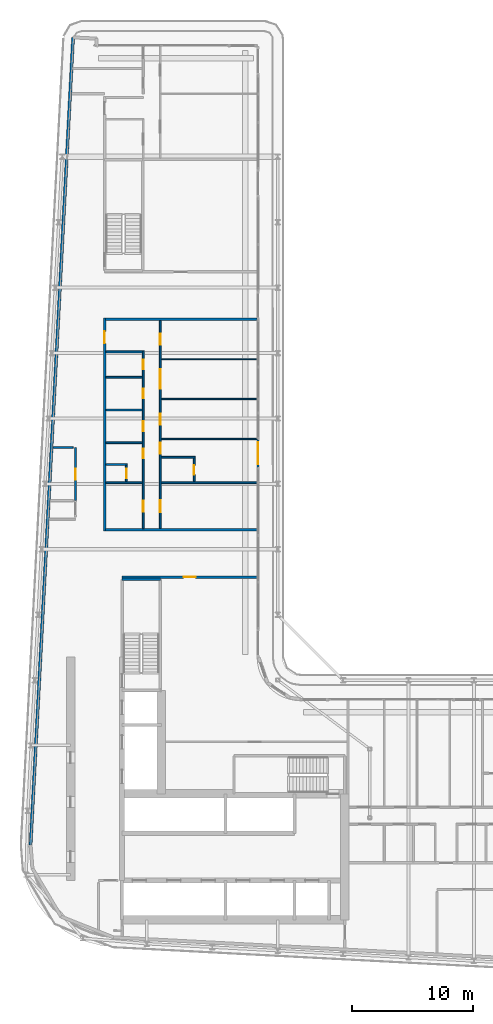
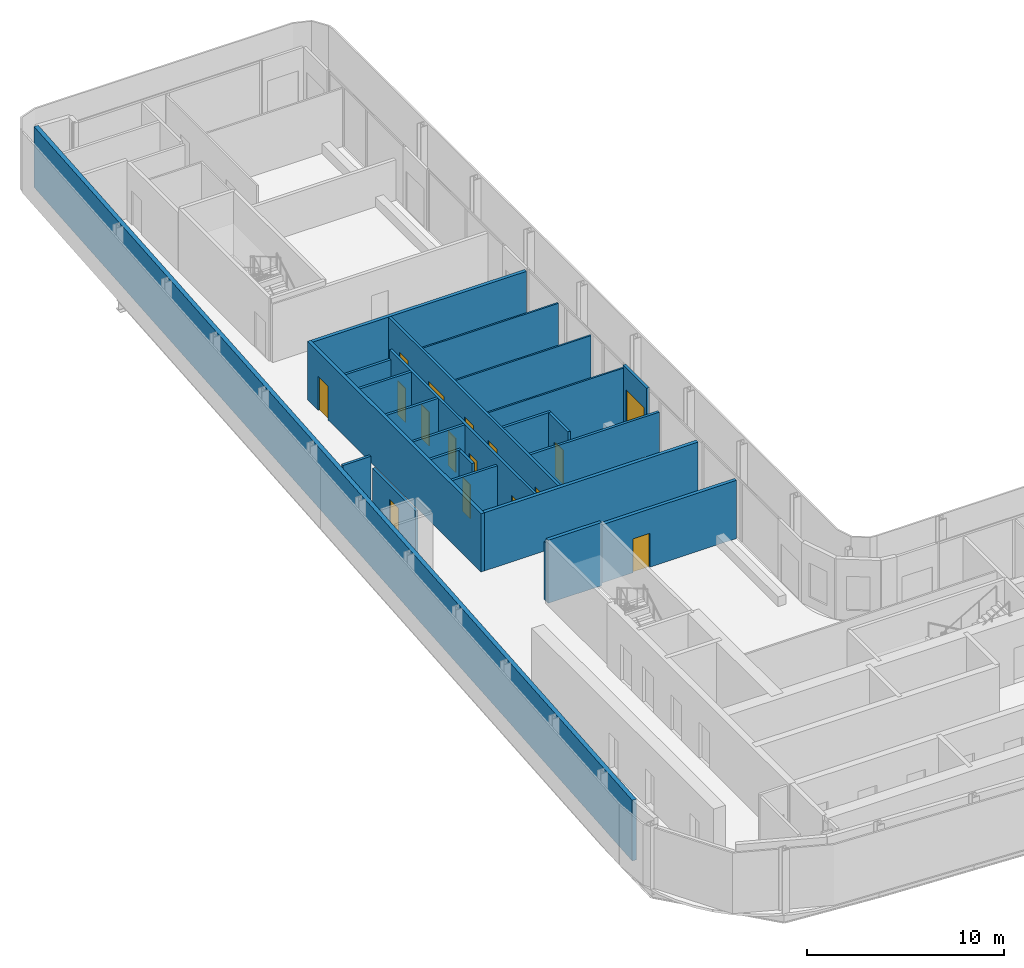
# One storey, part 14 of 23: 24 walls, 16 doors, 16 openings.
"""IFC4 building model written with IfcOpenShell, lengths in metres."""

from ifc_helpers import new_model, si_unit, direction, frame, frame_2d, origin, place, context, subcontext, project, spatial, rectangle, extrude, source, transform, mapped, material, layer, layer_set, type_object, element, fill, save


model = new_model("IFC4")

# Units and contexts
model_context = context("Model", 3, precision=1e-05, world=origin(), true_north=direction((0.0, 1.0)))
body_context = subcontext(model_context, "Body", "Model", "MODEL_VIEW")
ifc_project = project(units=[si_unit("LENGTHUNIT", "METRE"), si_unit("AREAUNIT", "SQUARE_METRE"), si_unit("VOLUMEUNIT", "CUBIC_METRE"), si_unit("PLANEANGLEUNIT", "RADIAN"), si_unit("MASSUNIT", "GRAM", prefix="KILO")], contexts=[model_context])

# Site, building, storey
site_placement = place(None, origin())
site = spatial("IfcSite", under=ifc_project, at=site_placement, CompositionType="ELEMENT")
building_placement = place(site_placement, origin())
building = spatial("IfcBuilding", under=site, at=building_placement, Name="Kheshtan School and Residences Tower", CompositionType="ELEMENT")
storey_placement = place(building_placement, frame((0.0, 0.0, 239.60009765625)))
storey = spatial("IfcBuildingStorey", under=building, at=storey_placement, Name="L56", CompositionType="ELEMENT", Elevation=239.60009765625)

# Wall, opening, door
ifc_material_1 = material(Name="Gypsum board on steel studs with fire boards", Category="steel")
ifc_layer_1 = layer(ifc_material_1, 0.199951171875)
ifc_layer_set_1 = layer_set([ifc_layer_1], Name="Corridor wall 200")
wall_type_1 = type_object("IfcWallType", Name="Corridor wall 200", PredefinedType="PARTITIONING", material=ifc_layer_set_1)
wall_1_placement = place(storey_placement, frame((33.300048828125, 57.89990234375, 0.0), z_axis=(0.0, 0.0, 1.0), x_axis=(0.0, 1.0, 0.0)))
wall_1 = element("IfcWall", 1, at=wall_1_placement, inside=storey, type_object=wall_type_1, Name="Partition L56-003", PredefinedType="PARTITIONING", context=body_context, shape_type="SweptSolid", body=[
    extrude(rectangle(XDim=17.60009765625, YDim=0.199951171875, at=frame_2d((8.800048828125, 0.0))), origin(), (0.0, 0.0, 1.0), 3.599853515625),
])
opening_1_placement = place(wall_1_placement, frame((15.5, 0.0, 0.0)))
opening_1 = element("IfcOpeningElement", 2, at=opening_1_placement, cuts=wall_1, Name="Opening D56-032", PredefinedType="OPENING", context=body_context, shape_type="SweptSolid", body=[
    extrude(rectangle(XDim=1.0, YDim=2.10009765625, at=frame_2d((0.5, 1.050048828125))), frame((0.0, 0.10986328125, 0.0), z_axis=(0.0, -1.0, 0.0), x_axis=(1.0, 0.0, 0.0)), (0.0, 0.0, 1.0), 0.219970703125),
])
ifc_material_2 = material(Name="Steel-framed fire-resisting door leaf", Category="steel")
door_type_1 = type_object("IfcDoorType", Name="Fire door FD30S 1000 x 2100", OperationType="SINGLE_SWING_LEFT", PredefinedType="DOOR", material=ifc_material_2)
shared_shape_1 = source(origin(), body_context, "Body", "SweptSolid", [
    extrude(rectangle(XDim=1.0, YDim=2.10009765625, at=frame_2d((0.5, 1.050048828125))), frame((0.0, 0.02490234375, 0.0), z_axis=(0.0, -1.0, 0.0), x_axis=(1.0, 0.0, 0.0)), (0.0, 0.0, 1.0), 0.050048828125),
])
door_1_placement = place(opening_1_placement, origin())
door_1 = element("IfcDoor", 3, at=door_1_placement, inside=storey, type_object=door_type_1, Name="Door D56-032", OperationType="SINGLE_SWING_RIGHT", OverallHeight=2.10009765625, OverallWidth=1.0, PredefinedType="DOOR", context=body_context, shape_type="MappedRepresentation", body=[
    mapped(shared_shape_1, transform((0.0, 0.0, 0.0), x_axis=(1.0, 0.0, 0.0), y_axis=(0.0, 1.0, 0.0), z_axis=(0.0, 0.0, 1.0), scale=1.0)),
])
fill(opening_1, door_1)

# Walls
for number, where, z_axis, x_axis, name in (
    (4, (33.39990234375, 58.0, 0.0), (0.0, 0.0, 1.0), (1.0, 0.0, 0.0), "Partition L56-006"),
    (5, (33.39990234375, 75.39990234375, 0.0), (0.0, 0.0, 1.0), (1.0, 0.0, 0.0), "Partition L56-013"),
):
    element("IfcWall", number, at=place(storey_placement, frame(where, z_axis=z_axis, x_axis=x_axis)), inside=storey, type_object=wall_type_1, Name=name, PredefinedType="PARTITIONING", context=body_context, shape_type="SweptSolid", body=[
        extrude(rectangle(XDim=12.5, YDim=0.199951171875, at=frame_2d((6.25, 0.0))), origin(), (0.0, 0.0, 1.0), 3.599853515625),
    ])

# Wall, opening, door
wall_2_placement = place(storey_placement, frame((34.75, 54.10009765625, 0.0), z_axis=(0.0, 0.0, 1.0), x_axis=(1.0, 0.0, 0.0)))
wall_2 = element("IfcWall", 6, at=wall_2_placement, inside=storey, type_object=wall_type_1, Name="Partition L56-018", PredefinedType="PARTITIONING", context=body_context, shape_type="SweptSolid", body=[
    extrude(rectangle(XDim=11.14990234375, YDim=0.199951171875, at=frame_2d((5.574951171875, 0.0))), origin(), (0.0, 0.0, 1.0), 3.599853515625),
])
opening_2_placement = place(wall_2_placement, frame((5.074951171875, 0.0, 0.0)))
opening_2 = element("IfcOpeningElement", 7, at=opening_2_placement, cuts=wall_2, Name="Opening D56-048", PredefinedType="OPENING", context=body_context, shape_type="SweptSolid", body=[
    extrude(rectangle(XDim=1.0, YDim=2.10009765625, at=frame_2d((0.5, 1.050048828125))), frame((0.0, 0.10986328125, 0.0), z_axis=(0.0, -1.0, 0.0), x_axis=(1.0, 0.0, 0.0)), (0.0, 0.0, 1.0), 0.219970703125),
])
door_type_2 = type_object("IfcDoorType", Name="Fire door FD60 1000 x 2100", OperationType="SINGLE_SWING_LEFT", PredefinedType="DOOR", material=ifc_material_2)
shared_shape_2 = source(origin(), body_context, "Body", "SweptSolid", [
    extrude(rectangle(XDim=1.0, YDim=2.10009765625, at=frame_2d((0.5, 1.050048828125))), frame((0.0, 0.02490234375, 0.0), z_axis=(0.0, -1.0, 0.0), x_axis=(1.0, 0.0, 0.0)), (0.0, 0.0, 1.0), 0.050048828125),
])
door_2_placement = place(opening_2_placement, origin())
door_2 = element("IfcDoor", 8, at=door_2_placement, inside=storey, type_object=door_type_2, Name="Door D56-048", OperationType="SINGLE_SWING_RIGHT", OverallHeight=2.10009765625, OverallWidth=1.0, PredefinedType="DOOR", context=body_context, shape_type="MappedRepresentation", body=[
    mapped(shared_shape_2, transform((0.0, 0.0, 0.0), x_axis=(1.0, 0.0, 0.0), y_axis=(0.0, 1.0, 0.0), z_axis=(0.0, 0.0, 1.0), scale=1.0)),
])
fill(opening_2, door_2)

# Wall
ifc_material_3 = material(Name="Concrete C40/50 with ceramic cladding and mineral wool insulation", Category="concrete")
ifc_layer_2 = layer(ifc_material_3, 0.25)
ifc_layer_set_2 = layer_set([ifc_layer_2], Name="External wall 250 ceramic clad")
wall_type_2 = type_object("IfcWallType", Name="External wall 250 ceramic clad", PredefinedType="SOLIDWALL", material=ifc_layer_set_2)
wall_3_placement = place(storey_placement, frame((27.195068359375, 31.968994140625, 0.0), z_axis=(0.0, 0.0, 1.0), x_axis=(0.052554995867, 0.998618031286, 0.0)))
element("IfcWall", 9, at=wall_3_placement, inside=storey, type_object=wall_type_2, Name="External wall L56 4", PredefinedType="SOLIDWALL", context=body_context, shape_type="SweptSolid", body=[
    extrude(rectangle(XDim=66.787353515625, YDim=0.25, at=frame_2d((33.3935546875, 0.0))), origin(), (0.0, 0.0, 1.0), 3.75),
])

# Wall, opening, door
ifc_material_4 = material(Name="Aluminium frame wall with insulated infill", Category="aluminium")
ifc_layer_3 = layer(ifc_material_4, 0.14990234375)
ifc_layer_set_3 = layer_set([ifc_layer_3], Name="Glazing frame wall 150")
wall_type_3 = type_object("IfcWallType", Name="Glazing frame wall 150", PredefinedType="SOLIDWALL", material=ifc_layer_set_3)
wall_4_placement = place(storey_placement, frame((45.97509765625, 65.51806640625, 0.0), z_axis=(0.0, 0.0, 1.0), x_axis=(0.0, -1.0, 0.0)))
wall_4 = element("IfcWall", 10, at=wall_4_placement, inside=storey, type_object=wall_type_3, Name="Balcony door wall L56 8.4", PredefinedType="SOLIDWALL", context=body_context, shape_type="SweptSolid", body=[
    extrude(rectangle(XDim=2.400146484375, YDim=0.14990234375, at=frame_2d((1.2001953125, 0.0))), origin(), (0.0, 0.0, 1.0), 3.75),
])
opening_3_placement = place(wall_4_placement, frame((0.300048828125, 0.0, 0.0)))
opening_3 = element("IfcOpeningElement", 11, at=opening_3_placement, cuts=wall_4, Name="Opening BD", PredefinedType="OPENING", context=body_context, shape_type="SweptSolid", body=[
    extrude(rectangle(XDim=1.800048828125, YDim=2.39990234375, at=frame_2d((0.89990234375, 1.199951171875))), frame((0.0, 0.0849609375, 0.0), z_axis=(0.0, -1.0, 0.0), x_axis=(1.0, 0.0, 0.0)), (0.0, 0.0, 1.0), 0.169921875),
])
ifc_material_5 = material(Name="Clear low-e glass in thermally broken aluminium frame", Category="aluminium")
door_type_3 = type_object("IfcDoorType", Name="Balcony sliding door", OperationType="SLIDING_TO_LEFT", PredefinedType="DOOR", material=ifc_material_5)
shared_shape_3 = source(origin(), body_context, "Body", "SweptSolid", [
    extrude(rectangle(XDim=1.800048828125, YDim=2.39990234375, at=frame_2d((0.89990234375, 1.199951171875))), frame((0.0, 0.02490234375, 0.0), z_axis=(0.0, -1.0, 0.0), x_axis=(1.0, 0.0, 0.0)), (0.0, 0.0, 1.0), 0.050048828125),
])
door_3_placement = place(opening_3_placement, origin())
door_3 = element("IfcDoor", 12, at=door_3_placement, inside=storey, type_object=door_type_3, Name="Balcony door L56 8.4", OperationType="SLIDING_TO_LEFT", OverallHeight=2.39990234375, OverallWidth=1.800048828125, PredefinedType="DOOR", context=body_context, shape_type="MappedRepresentation", body=[
    mapped(shared_shape_3, transform((0.0, 0.0, 0.0), x_axis=(1.0, 0.0, 0.0), y_axis=(0.0, 1.0, 0.0), z_axis=(0.0, 0.0, 1.0), scale=1.0)),
])
fill(opening_3, door_3)

# Walls
ifc_material_6 = material(Name="Gypsum board on steel studs", Category="steel")
ifc_layer_4 = layer(ifc_material_6, 0.10009765625)
ifc_layer_set_4 = layer_set([ifc_layer_4], Name="Gypsum partition 100")
wall_type_4 = type_object("IfcWallType", Name="Gypsum partition 100", PredefinedType="PARTITIONING", material=ifc_layer_set_4)
for number, where, z_axis, x_axis, name in (
    (13, (37.97509765625, 65.5, 0.0), (0.0, 0.0, 1.0), (1.0, 0.0, 0.0), "Partition L56-029"),
    (14, (37.97509765625, 68.800048828125, 0.0), (0.0, 0.0, 1.0), (1.0, 0.0, 0.0), "Partition L56-030"),
    (15, (37.97509765625, 72.10009765625, 0.0), (0.0, 0.0, 1.0), (1.0, 0.0, 0.0), "Partition L56-031"),
):
    element("IfcWall", number, at=place(storey_placement, frame(where, z_axis=z_axis, x_axis=x_axis)), inside=storey, type_object=wall_type_4, Name=name, PredefinedType="PARTITIONING", context=body_context, shape_type="SweptSolid", body=[
        extrude(rectangle(XDim=7.9248046875, YDim=0.10009765625, at=frame_2d((3.96240234375, 0.0))), origin(), (0.0, 0.0, 1.0), 3.599853515625),
    ])

# Wall, opening, door
ifc_material_7 = material(Name="Fire-board shaft wall system")
ifc_layer_5 = layer(ifc_material_7, 0.14990234375)
ifc_layer_set_5 = layer_set([ifc_layer_5], Name="Service room wall 150")
wall_type_5 = type_object("IfcWallType", Name="Service room wall 150", PredefinedType="PARTITIONING", material=ifc_layer_set_5)
wall_5_placement = place(storey_placement, frame((30.89990234375, 60.4140625, 0.0), z_axis=(0.0, 0.0, 1.0), x_axis=(0.0, 1.0, 0.0)))
wall_5 = element("IfcWall", 16, at=wall_5_placement, inside=storey, type_object=wall_type_5, Name="Service room wall", PredefinedType="PARTITIONING", context=body_context, shape_type="SweptSolid", body=[
    extrude(rectangle(XDim=4.385986328125, YDim=0.14990234375, at=frame_2d((2.19287109375, 0.0))), origin(), (0.0, 0.0, 1.0), 3.072021484375),
])
opening_4_placement = place(wall_5_placement, frame((1.742919921875, 0.0, 0.0)))
opening_4 = element("IfcOpeningElement", 17, at=opening_4_placement, cuts=wall_5, Name="Opening SR90", PredefinedType="OPENING", context=body_context, shape_type="SweptSolid", body=[
    extrude(rectangle(XDim=0.89990234375, YDim=2.199951171875, at=frame_2d((0.449951171875, 1.10009765625))), frame((0.0, 0.0849609375, 0.0), z_axis=(0.0, -1.0, 0.0), x_axis=(1.0, 0.0, 0.0)), (0.0, 0.0, 1.0), 0.169921875),
])
ifc_material_8 = material(Name="Steel door leaf, galvanised", Category="steel")
door_type_4 = type_object("IfcDoorType", Name="Service room door 900 steel 90 min", OperationType="SINGLE_SWING_LEFT", PredefinedType="DOOR", material=ifc_material_8)
shared_shape_4 = source(origin(), body_context, "Body", "SweptSolid", [
    extrude(rectangle(XDim=0.89990234375, YDim=2.199951171875, at=frame_2d((0.449951171875, 1.10009765625))), frame((0.0, 0.02490234375, 0.0), z_axis=(0.0, -1.0, 0.0), x_axis=(1.0, 0.0, 0.0)), (0.0, 0.0, 1.0), 0.050048828125),
])
door_4_placement = place(opening_4_placement, origin())
door_4 = element("IfcDoor", 18, at=door_4_placement, inside=storey, type_object=door_type_4, Name="Service room door", OperationType="SINGLE_SWING_LEFT", OverallHeight=2.199951171875, OverallWidth=0.89990234375, PredefinedType="DOOR", context=body_context, shape_type="MappedRepresentation", body=[
    mapped(shared_shape_4, transform((0.0, 0.0, 0.0), x_axis=(1.0, 0.0, 0.0), y_axis=(0.0, 1.0, 0.0), z_axis=(0.0, 0.0, 1.0), scale=1.0)),
])
fill(opening_4, door_4)

# Walls
wall_6_placement = place(storey_placement, frame((29.050048828125, 64.800048828125, 0.0), z_axis=(0.0, 0.0, 1.0), x_axis=(1.0, 0.0, 0.0)))
element("IfcWall", 19, at=wall_6_placement, inside=storey, type_object=wall_type_5, Name="Service room wall", PredefinedType="PARTITIONING", context=body_context, shape_type="SweptSolid", body=[
    extrude(rectangle(XDim=1.655029296875, YDim=0.14990234375, at=frame_2d((0.82763671875, 0.0))), origin(), (0.0, 0.0, 1.0), 3.89990234375),
])
ifc_material_9 = material(Name="Concrete C40/50", Category="concrete")
ifc_layer_6 = layer(ifc_material_9, 0.199951171875)
ifc_layer_set_6 = layer_set([ifc_layer_6], Name="Stair enclosure wall 200 Concrete C40/50")
wall_type_6 = type_object("IfcWallType", Name="Stair enclosure wall 200 Concrete C40/50", PredefinedType="SHEAR", material=ifc_layer_set_6)
wall_7_placement = place(storey_placement, frame((34.75, 53.909912109375, 0.0), z_axis=(0.0, 0.0, 1.0), x_axis=(1.0, 0.0, 0.0)))
element("IfcWall", 20, at=wall_7_placement, inside=storey, type_object=wall_type_6, Name="Stair enclosure wall ST2", PredefinedType="SHEAR", context=body_context, shape_type="SweptSolid", body=[
    extrude(rectangle(XDim=3.14990234375, YDim=0.199951171875, at=frame_2d((1.574951171875, 0.0))), origin(), (0.0, 0.0, 1.0), 3.89990234375),
])
ifc_material_10 = material(Name="Moisture-resistant gypsum board on steel studs", Category="steel")
ifc_layer_7 = layer(ifc_material_10, 0.14990234375)
ifc_layer_set_7 = layer_set([ifc_layer_7], Name="Wet-room partition 150")
wall_type_7 = type_object("IfcWallType", Name="Wet-room partition 150", PredefinedType="PARTITIONING", material=ifc_layer_set_7)
wall_8_placement = place(storey_placement, frame((33.39990234375, 61.89990234375, 0.0), z_axis=(0.0, 0.0, 1.0), x_axis=(1.0, 0.0, 0.0)))
element("IfcWall", 21, at=wall_8_placement, inside=storey, type_object=wall_type_7, Name="Partition L56-007", PredefinedType="PARTITIONING", context=body_context, shape_type="SweptSolid", body=[
    extrude(rectangle(XDim=3.025146484375, YDim=0.14990234375, at=frame_2d((1.5126953125, 0.0))), origin(), (0.0, 0.0, 1.0), 3.072021484375),
])
wall_9_placement = place(storey_placement, frame((33.39990234375, 63.39990234375, 0.0), z_axis=(0.0, 0.0, 1.0), x_axis=(1.0, 0.0, 0.0)))
element("IfcWall", 22, at=wall_9_placement, inside=storey, type_object=wall_type_7, Name="Partition L56-008", PredefinedType="PARTITIONING", context=body_context, shape_type="SweptSolid", body=[
    extrude(rectangle(XDim=1.775146484375, YDim=0.14990234375, at=frame_2d((0.8876953125, 0.0))), origin(), (0.0, 0.0, 1.0), 3.599853515625),
])
for number, where, z_axis, x_axis, name in (
    (23, (33.39990234375, 65.199951171875, 0.0), (0.0, 0.0, 1.0), (1.0, 0.0, 0.0), "Partition L56-009"),
    (24, (33.39990234375, 67.89990234375, 0.0), (0.0, 0.0, 1.0), (1.0, 0.0, 0.0), "Partition L56-010"),
    (25, (33.39990234375, 70.60009765625, 0.0), (0.0, 0.0, 1.0), (1.0, 0.0, 0.0), "Partition L56-011"),
):
    element("IfcWall", number, at=place(storey_placement, frame(where, z_axis=z_axis, x_axis=x_axis)), inside=storey, type_object=wall_type_7, Name=name, PredefinedType="PARTITIONING", context=body_context, shape_type="SweptSolid", body=[
        extrude(rectangle(XDim=3.025146484375, YDim=0.14990234375, at=frame_2d((1.5126953125, 0.0))), origin(), (0.0, 0.0, 1.0), 3.599853515625),
    ])
wall_10_placement = place(storey_placement, frame((33.39990234375, 72.699951171875, 0.0), z_axis=(0.0, 0.0, 1.0), x_axis=(1.0, 0.0, 0.0)))
element("IfcWall", 26, at=wall_10_placement, inside=storey, type_object=wall_type_7, Name="Partition L56-012", PredefinedType="PARTITIONING", context=body_context, shape_type="SweptSolid", body=[
    extrude(rectangle(XDim=3.025146484375, YDim=0.14990234375, at=frame_2d((1.5126953125, 0.0))), origin(), (0.0, 0.0, 1.0), 3.072021484375),
])

# Wall, opening, door
wall_11_placement = place(storey_placement, frame((35.10009765625, 61.97509765625, 0.0), z_axis=(0.0, 0.0, 1.0), x_axis=(0.0, 1.0, 0.0)))
wall_11 = element("IfcWall", 27, at=wall_11_placement, inside=storey, type_object=wall_type_7, Name="Partition L56-019", PredefinedType="PARTITIONING", context=body_context, shape_type="SweptSolid", body=[
    extrude(rectangle(XDim=1.349853515625, YDim=0.14990234375, at=frame_2d((0.6748046875, 0.0))), origin(), (0.0, 0.0, 1.0), 3.599853515625),
])
opening_5_placement = place(wall_11_placement, frame((0.27490234375, 0.0, 0.0)))
opening_5 = element("IfcOpeningElement", 28, at=opening_5_placement, cuts=wall_11, Name="Opening D56-036", PredefinedType="OPENING", context=body_context, shape_type="SweptSolid", body=[
    extrude(rectangle(XDim=0.800048828125, YDim=2.10009765625, at=frame_2d((0.39990234375, 1.050048828125))), frame((0.0, 0.0849609375, 0.0), z_axis=(0.0, -1.0, 0.0), x_axis=(1.0, 0.0, 0.0)), (0.0, 0.0, 1.0), 0.169921875),
])
ifc_material_11 = material(Name="Veneered timber door leaf", Category="wood")
door_type_5 = type_object("IfcDoorType", Name="Door 800 x 2100", OperationType="SINGLE_SWING_LEFT", PredefinedType="DOOR", material=ifc_material_11)
shared_shape_5 = source(origin(), body_context, "Body", "SweptSolid", [
    extrude(rectangle(XDim=0.800048828125, YDim=2.10009765625, at=frame_2d((0.39990234375, 1.050048828125))), frame((0.0, 0.02490234375, 0.0), z_axis=(0.0, -1.0, 0.0), x_axis=(1.0, 0.0, 0.0)), (0.0, 0.0, 1.0), 0.050048828125),
])
door_5_placement = place(opening_5_placement, origin())
door_5 = element("IfcDoor", 29, at=door_5_placement, inside=storey, type_object=door_type_5, Name="Door D56-036", OperationType="SINGLE_SWING_LEFT", OverallHeight=2.10009765625, OverallWidth=0.800048828125, PredefinedType="DOOR", context=body_context, shape_type="MappedRepresentation", body=[
    mapped(shared_shape_5, transform((0.0, 0.0, 0.0), x_axis=(1.0, 0.0, 0.0), y_axis=(0.0, 1.0, 0.0), z_axis=(0.0, 0.0, 1.0), scale=1.0)),
])
fill(opening_5, door_5)

# Wall, openings, doors
wall_12_placement = place(storey_placement, frame((36.5, 58.10009765625, 0.0), z_axis=(0.0, 0.0, 1.0), x_axis=(0.0, 1.0, 0.0)))
wall_12 = element("IfcWall", 30, at=wall_12_placement, inside=storey, type_object=wall_type_7, Name="Partition L56-021", PredefinedType="PARTITIONING", context=body_context, shape_type="SweptSolid", body=[
    extrude(rectangle(XDim=14.6748046875, YDim=0.14990234375, at=frame_2d((7.33740234375, 0.0))), origin(), (0.0, 0.0, 1.0), 3.599853515625),
])
opening_6_placement = place(wall_12_placement, frame((8.050048828125, 0.0, 0.0)))
opening_6 = element("IfcOpeningElement", 31, at=opening_6_placement, cuts=wall_12, Name="Opening D56-027", PredefinedType="OPENING", context=body_context, shape_type="SweptSolid", body=[
    extrude(rectangle(XDim=0.800048828125, YDim=2.10009765625, at=frame_2d((0.39990234375, 1.050048828125))), frame((0.0, 0.0849609375, 0.0), z_axis=(0.0, -1.0, 0.0), x_axis=(1.0, 0.0, 0.0)), (0.0, 0.0, 1.0), 0.169921875),
])
opening_7_placement = place(wall_12_placement, frame((10.75, 0.0, 0.0)))
opening_7 = element("IfcOpeningElement", 32, at=opening_7_placement, cuts=wall_12, Name="Opening D56-028", PredefinedType="OPENING", context=body_context, shape_type="SweptSolid", body=[
    extrude(rectangle(XDim=0.800048828125, YDim=2.10009765625, at=frame_2d((0.39990234375, 1.050048828125))), frame((0.0, 0.0849609375, 0.0), z_axis=(0.0, -1.0, 0.0), x_axis=(1.0, 0.0, 0.0)), (0.0, 0.0, 1.0), 0.169921875),
])
opening_8_placement = place(wall_12_placement, frame((1.39990234375, 0.0, 0.0)))
opening_8 = element("IfcOpeningElement", 33, at=opening_8_placement, cuts=wall_12, Name="Opening D56-033", PredefinedType="OPENING", context=body_context, shape_type="SweptSolid", body=[
    extrude(rectangle(XDim=0.89990234375, YDim=2.10009765625, at=frame_2d((0.449951171875, 1.050048828125))), frame((0.0, 0.0849609375, 0.0), z_axis=(0.0, -1.0, 0.0), x_axis=(1.0, 0.0, 0.0)), (0.0, 0.0, 1.0), 0.169921875),
])
opening_9_placement = place(wall_12_placement, frame((5.800048828125, 0.0, 0.0)))
opening_9 = element("IfcOpeningElement", 34, at=opening_9_placement, cuts=wall_12, Name="Opening D56-035", PredefinedType="OPENING", context=body_context, shape_type="SweptSolid", body=[
    extrude(rectangle(XDim=0.800048828125, YDim=2.10009765625, at=frame_2d((0.39990234375, 1.050048828125))), frame((0.0, 0.0849609375, 0.0), z_axis=(0.0, -1.0, 0.0), x_axis=(1.0, 0.0, 0.0)), (0.0, 0.0, 1.0), 0.169921875),
])
opening_10_placement = place(wall_12_placement, frame((13.14990234375, 0.0, 0.0)))
opening_10 = element("IfcOpeningElement", 35, at=opening_10_placement, cuts=wall_12, Name="Opening D56-039", PredefinedType="OPENING", context=body_context, shape_type="SweptSolid", body=[
    extrude(rectangle(XDim=0.800048828125, YDim=2.10009765625, at=frame_2d((0.39990234375, 1.050048828125))), frame((0.0, 0.0849609375, 0.0), z_axis=(0.0, -1.0, 0.0), x_axis=(1.0, 0.0, 0.0)), (0.0, 0.0, 1.0), 0.169921875),
])
door_6_placement = place(opening_6_placement, origin())
door_6 = element("IfcDoor", 36, at=door_6_placement, inside=storey, type_object=door_type_5, Name="Door D56-027", OperationType="SINGLE_SWING_RIGHT", OverallHeight=2.10009765625, OverallWidth=0.800048828125, PredefinedType="DOOR", context=body_context, shape_type="MappedRepresentation", body=[
    mapped(shared_shape_5, transform((0.0, 0.0, 0.0), x_axis=(1.0, 0.0, 0.0), y_axis=(0.0, 1.0, 0.0), z_axis=(0.0, 0.0, 1.0), scale=1.0)),
])
fill(opening_6, door_6)
door_7_placement = place(opening_7_placement, origin())
door_7 = element("IfcDoor", 37, at=door_7_placement, inside=storey, type_object=door_type_5, Name="Door D56-028", OperationType="SINGLE_SWING_RIGHT", OverallHeight=2.10009765625, OverallWidth=0.800048828125, PredefinedType="DOOR", context=body_context, shape_type="MappedRepresentation", body=[
    mapped(shared_shape_5, transform((0.0, 0.0, 0.0), x_axis=(1.0, 0.0, 0.0), y_axis=(0.0, 1.0, 0.0), z_axis=(0.0, 0.0, 1.0), scale=1.0)),
])
fill(opening_7, door_7)
door_8_placement = place(opening_9_placement, origin())
door_8 = element("IfcDoor", 38, at=door_8_placement, inside=storey, type_object=door_type_5, Name="Door D56-035", OperationType="SINGLE_SWING_RIGHT", OverallHeight=2.10009765625, OverallWidth=0.800048828125, PredefinedType="DOOR", context=body_context, shape_type="MappedRepresentation", body=[
    mapped(shared_shape_5, transform((0.0, 0.0, 0.0), x_axis=(1.0, 0.0, 0.0), y_axis=(0.0, 1.0, 0.0), z_axis=(0.0, 0.0, 1.0), scale=1.0)),
])
fill(opening_9, door_8)
door_9_placement = place(opening_10_placement, origin())
door_9 = element("IfcDoor", 39, at=door_9_placement, inside=storey, type_object=door_type_5, Name="Door D56-039", OperationType="SINGLE_SWING_RIGHT", OverallHeight=2.10009765625, OverallWidth=0.800048828125, PredefinedType="DOOR", context=body_context, shape_type="MappedRepresentation", body=[
    mapped(shared_shape_5, transform((0.0, 0.0, 0.0), x_axis=(1.0, 0.0, 0.0), y_axis=(0.0, 1.0, 0.0), z_axis=(0.0, 0.0, 1.0), scale=1.0)),
])
fill(opening_10, door_9)
door_type_6 = type_object("IfcDoorType", Name="Door 900 x 2100", OperationType="SINGLE_SWING_LEFT", PredefinedType="DOOR", material=ifc_material_11)
shared_shape_6 = source(origin(), body_context, "Body", "SweptSolid", [
    extrude(rectangle(XDim=0.89990234375, YDim=2.10009765625, at=frame_2d((0.449951171875, 1.050048828125))), frame((0.0, 0.02490234375, 0.0), z_axis=(0.0, -1.0, 0.0), x_axis=(1.0, 0.0, 0.0)), (0.0, 0.0, 1.0), 0.050048828125),
])
door_10_placement = place(opening_8_placement, origin())
door_10 = element("IfcDoor", 40, at=door_10_placement, inside=storey, type_object=door_type_6, Name="Door D56-033", OperationType="SINGLE_SWING_RIGHT", OverallHeight=2.10009765625, OverallWidth=0.89990234375, PredefinedType="DOOR", context=body_context, shape_type="MappedRepresentation", body=[
    mapped(shared_shape_6, transform((0.0, 0.0, 0.0), x_axis=(1.0, 0.0, 0.0), y_axis=(0.0, 1.0, 0.0), z_axis=(0.0, 0.0, 1.0), scale=1.0)),
])
fill(opening_8, door_10)

wall_13_placement = place(storey_placement, frame((37.89990234375, 58.10009765625, 0.0), z_axis=(0.0, 0.0, 1.0), x_axis=(0.0, 1.0, 0.0)))
wall_13 = element("IfcWall", 41, at=wall_13_placement, inside=storey, type_object=wall_type_7, Name="Partition L56-024", PredefinedType="PARTITIONING", context=body_context, shape_type="SweptSolid", body=[
    extrude(rectangle(XDim=17.199951171875, YDim=0.14990234375, at=frame_2d((8.60009765625, 0.0))), origin(), (0.0, 0.0, 1.0), 3.599853515625),
])
opening_11_placement = place(wall_13_placement, frame((8.60009765625, 0.0, 0.0)))
opening_11 = element("IfcOpeningElement", 42, at=opening_11_placement, cuts=wall_13, Name="Opening D56-029", PredefinedType="OPENING", context=body_context, shape_type="SweptSolid", body=[
    extrude(rectangle(XDim=0.89990234375, YDim=2.10009765625, at=frame_2d((0.449951171875, 1.050048828125))), frame((0.0, 0.0849609375, 0.0), z_axis=(0.0, -1.0, 0.0), x_axis=(1.0, 0.0, 0.0)), (0.0, 0.0, 1.0), 0.169921875),
])
opening_12_placement = place(wall_13_placement, frame((15.199951171875, 0.0, 0.0)))
opening_12 = element("IfcOpeningElement", 43, at=opening_12_placement, cuts=wall_13, Name="Opening D56-030", PredefinedType="OPENING", context=body_context, shape_type="SweptSolid", body=[
    extrude(rectangle(XDim=0.89990234375, YDim=2.10009765625, at=frame_2d((0.449951171875, 1.050048828125))), frame((0.0, 0.0849609375, 0.0), z_axis=(0.0, -1.0, 0.0), x_axis=(1.0, 0.0, 0.0)), (0.0, 0.0, 1.0), 0.169921875),
])
opening_13_placement = place(wall_13_placement, frame((1.35009765625, 0.0, 0.0)))
opening_13 = element("IfcOpeningElement", 44, at=opening_13_placement, cuts=wall_13, Name="Opening D56-034", PredefinedType="OPENING", context=body_context, shape_type="SweptSolid", body=[
    extrude(rectangle(XDim=1.0, YDim=2.10009765625, at=frame_2d((0.5, 1.050048828125))), frame((0.0, 0.0849609375, 0.0), z_axis=(0.0, -1.0, 0.0), x_axis=(1.0, 0.0, 0.0)), (0.0, 0.0, 1.0), 0.169921875),
])
opening_14_placement = place(wall_13_placement, frame((11.550048828125, 0.0, 0.0)))
opening_14 = element("IfcOpeningElement", 45, at=opening_14_placement, cuts=wall_13, Name="Opening D56-037", PredefinedType="OPENING", context=body_context, shape_type="SweptSolid", body=[
    extrude(rectangle(XDim=1.60009765625, YDim=2.10009765625, at=frame_2d((0.800048828125, 1.050048828125))), frame((0.0, 0.0849609375, 0.0), z_axis=(0.0, -1.0, 0.0), x_axis=(1.0, 0.0, 0.0)), (0.0, 0.0, 1.0), 0.169921875),
])
opening_15_placement = place(wall_13_placement, frame((6.199951171875, 0.0, 0.0)))
opening_15 = element("IfcOpeningElement", 46, at=opening_15_placement, cuts=wall_13, Name="Opening D56-038", PredefinedType="OPENING", context=body_context, shape_type="SweptSolid", body=[
    extrude(rectangle(XDim=0.89990234375, YDim=2.10009765625, at=frame_2d((0.449951171875, 1.050048828125))), frame((0.0, 0.0849609375, 0.0), z_axis=(0.0, -1.0, 0.0), x_axis=(1.0, 0.0, 0.0)), (0.0, 0.0, 1.0), 0.169921875),
])
door_type_7 = type_object("IfcDoorType", Name="Door 1000 x 2100", OperationType="SINGLE_SWING_LEFT", PredefinedType="DOOR", material=ifc_material_11)
shared_shape_7 = source(origin(), body_context, "Body", "SweptSolid", [
    extrude(rectangle(XDim=1.0, YDim=2.10009765625, at=frame_2d((0.5, 1.050048828125))), frame((0.0, 0.02490234375, 0.0), z_axis=(0.0, -1.0, 0.0), x_axis=(1.0, 0.0, 0.0)), (0.0, 0.0, 1.0), 0.050048828125),
])
door_11_placement = place(opening_13_placement, origin())
door_11 = element("IfcDoor", 47, at=door_11_placement, inside=storey, type_object=door_type_7, Name="Door D56-034", OperationType="SINGLE_SWING_LEFT", OverallHeight=2.10009765625, OverallWidth=1.0, PredefinedType="DOOR", context=body_context, shape_type="MappedRepresentation", body=[
    mapped(shared_shape_7, transform((0.0, 0.0, 0.0), x_axis=(1.0, 0.0, 0.0), y_axis=(0.0, 1.0, 0.0), z_axis=(0.0, 0.0, 1.0), scale=1.0)),
])
fill(opening_13, door_11)
door_12_placement = place(opening_11_placement, origin())
door_12 = element("IfcDoor", 48, at=door_12_placement, inside=storey, type_object=door_type_6, Name="Door D56-029", OperationType="SINGLE_SWING_LEFT", OverallHeight=2.10009765625, OverallWidth=0.89990234375, PredefinedType="DOOR", context=body_context, shape_type="MappedRepresentation", body=[
    mapped(shared_shape_6, transform((0.0, 0.0, 0.0), x_axis=(1.0, 0.0, 0.0), y_axis=(0.0, 1.0, 0.0), z_axis=(0.0, 0.0, 1.0), scale=1.0)),
])
fill(opening_11, door_12)
door_13_placement = place(opening_12_placement, origin())
door_13 = element("IfcDoor", 49, at=door_13_placement, inside=storey, type_object=door_type_6, Name="Door D56-030", OperationType="SINGLE_SWING_LEFT", OverallHeight=2.10009765625, OverallWidth=0.89990234375, PredefinedType="DOOR", context=body_context, shape_type="MappedRepresentation", body=[
    mapped(shared_shape_6, transform((0.0, 0.0, 0.0), x_axis=(1.0, 0.0, 0.0), y_axis=(0.0, 1.0, 0.0), z_axis=(0.0, 0.0, 1.0), scale=1.0)),
])
fill(opening_12, door_13)
door_14_placement = place(opening_15_placement, origin())
door_14 = element("IfcDoor", 50, at=door_14_placement, inside=storey, type_object=door_type_6, Name="Door D56-038", OperationType="SINGLE_SWING_LEFT", OverallHeight=2.10009765625, OverallWidth=0.89990234375, PredefinedType="DOOR", context=body_context, shape_type="MappedRepresentation", body=[
    mapped(shared_shape_6, transform((0.0, 0.0, 0.0), x_axis=(1.0, 0.0, 0.0), y_axis=(0.0, 1.0, 0.0), z_axis=(0.0, 0.0, 1.0), scale=1.0)),
])
fill(opening_15, door_14)
door_type_8 = type_object("IfcDoorType", Name="Double door 1600 x 2100", OperationType="DOUBLE_DOOR_SINGLE_SWING", PredefinedType="DOOR", material=ifc_material_11)
shared_shape_8 = source(origin(), body_context, "Body", "SweptSolid", [
    extrude(rectangle(XDim=1.60009765625, YDim=2.10009765625, at=frame_2d((0.800048828125, 1.050048828125))), frame((0.0, 0.02490234375, 0.0), z_axis=(0.0, -1.0, 0.0), x_axis=(1.0, 0.0, 0.0)), (0.0, 0.0, 1.0), 0.050048828125),
])
door_15_placement = place(opening_14_placement, origin())
door_15 = element("IfcDoor", 51, at=door_15_placement, inside=storey, type_object=door_type_8, Name="Door D56-037", OperationType="DOUBLE_DOOR_SINGLE_SWING", OverallHeight=2.10009765625, OverallWidth=1.60009765625, PredefinedType="DOOR", context=body_context, shape_type="MappedRepresentation", body=[
    mapped(shared_shape_8, transform((0.0, 0.0, 0.0), x_axis=(1.0, 0.0, 0.0), y_axis=(0.0, 1.0, 0.0), z_axis=(0.0, 0.0, 1.0), scale=1.0)),
])
fill(opening_14, door_15)

# Walls
wall_14_placement = place(storey_placement, frame((37.97509765625, 61.89990234375, 0.0), z_axis=(0.0, 0.0, 1.0), x_axis=(1.0, 0.0, 0.0)))
element("IfcWall", 52, at=wall_14_placement, inside=storey, type_object=wall_type_7, Name="Partition L56-027", PredefinedType="PARTITIONING", context=body_context, shape_type="SweptSolid", body=[
    extrude(rectangle(XDim=7.9248046875, YDim=0.14990234375, at=frame_2d((3.96240234375, 0.0))), origin(), (0.0, 0.0, 1.0), 3.072021484375),
])
wall_15_placement = place(storey_placement, frame((37.97509765625, 64.0, 0.0), z_axis=(0.0, 0.0, 1.0), x_axis=(1.0, 0.0, 0.0)))
element("IfcWall", 53, at=wall_15_placement, inside=storey, type_object=wall_type_7, Name="Partition L56-028", PredefinedType="PARTITIONING", context=body_context, shape_type="SweptSolid", body=[
    extrude(rectangle(XDim=2.7998046875, YDim=0.14990234375, at=frame_2d((1.39990234375, 0.0))), origin(), (0.0, 0.0, 1.0), 3.599853515625),
])

# Wall, opening, door
wall_16_placement = place(storey_placement, frame((40.699951171875, 61.97509765625, 0.0), z_axis=(0.0, 0.0, 1.0), x_axis=(0.0, 1.0, 0.0)))
wall_16 = element("IfcWall", 54, at=wall_16_placement, inside=storey, type_object=wall_type_7, Name="Partition L56-033", PredefinedType="PARTITIONING", context=body_context, shape_type="SweptSolid", body=[
    extrude(rectangle(XDim=1.949951171875, YDim=0.14990234375, at=frame_2d((0.97509765625, 0.0))), origin(), (0.0, 0.0, 1.0), 3.599853515625),
])
opening_16_placement = place(wall_16_placement, frame((0.574951171875, 0.0, 0.0)))
opening_16 = element("IfcOpeningElement", 55, at=opening_16_placement, cuts=wall_16, Name="Opening D56-031", PredefinedType="OPENING", context=body_context, shape_type="SweptSolid", body=[
    extrude(rectangle(XDim=0.800048828125, YDim=2.10009765625, at=frame_2d((0.39990234375, 1.050048828125))), frame((0.0, 0.0849609375, 0.0), z_axis=(0.0, -1.0, 0.0), x_axis=(1.0, 0.0, 0.0)), (0.0, 0.0, 1.0), 0.169921875),
])
door_16_placement = place(opening_16_placement, origin())
door_16 = element("IfcDoor", 56, at=door_16_placement, inside=storey, type_object=door_type_5, Name="Door D56-031", OperationType="SINGLE_SWING_RIGHT", OverallHeight=2.10009765625, OverallWidth=0.800048828125, PredefinedType="DOOR", context=body_context, shape_type="MappedRepresentation", body=[
    mapped(shared_shape_5, transform((0.0, 0.0, 0.0), x_axis=(1.0, 0.0, 0.0), y_axis=(0.0, 1.0, 0.0), z_axis=(0.0, 0.0, 1.0), scale=1.0)),
])
fill(opening_16, door_16)

save(model, "model.ifc")
